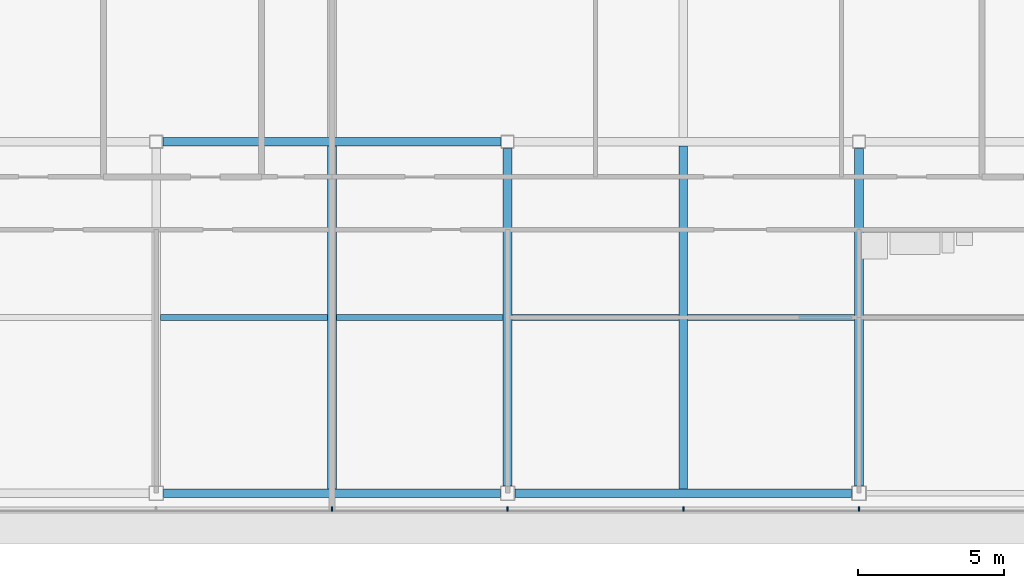
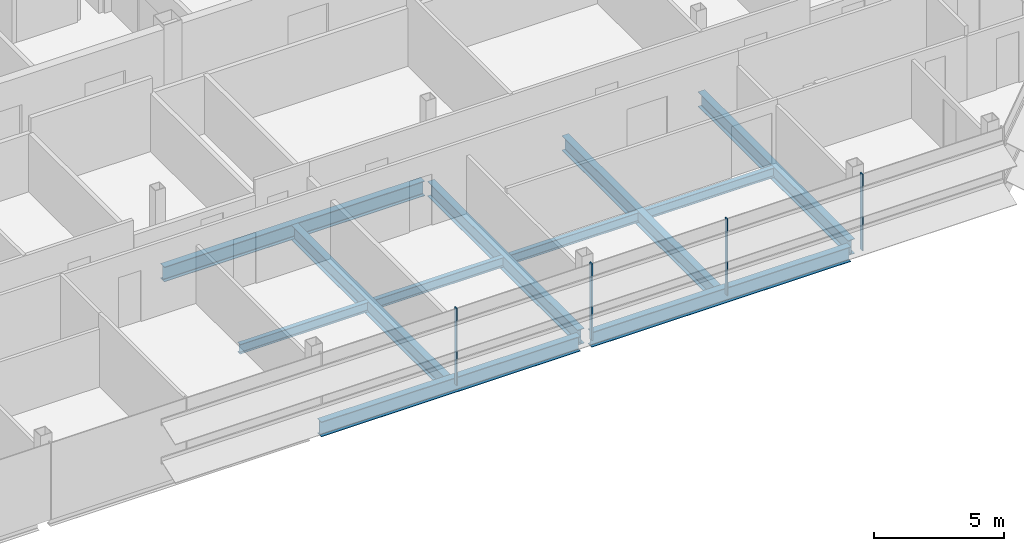
# One storey, part 10 of 27: 11 beams, 4 members, 1 element without a shape of its own.
"""IFC4 building model written with IfcOpenShell, lengths in metres."""

from ifc_helpers import new_model, si_unit, direction, frame, origin, origin_2d, place, context, subcontext, project, spatial, rectangle, i_section, extrude, material, material_profile, profile_set, type_object, element, aggregate, save


model = new_model("IFC4")

# Units and contexts
model_context = context("Model", 3, precision=1e-05, world=origin(), true_north=direction((0.0, 1.0)))
body_context = subcontext(model_context, "Body", "Model", "MODEL_VIEW")
ifc_project = project(units=[si_unit("LENGTHUNIT", "METRE"), si_unit("AREAUNIT", "SQUARE_METRE"), si_unit("VOLUMEUNIT", "CUBIC_METRE"), si_unit("PLANEANGLEUNIT", "RADIAN"), si_unit("MASSUNIT", "GRAM", prefix="KILO")], contexts=[model_context])

# Site, building, storey
site_placement = place(None, origin())
site = spatial("IfcSite", under=ifc_project, at=site_placement, CompositionType="ELEMENT")
building_placement = place(site_placement, origin())
building = spatial("IfcBuilding", under=site, at=building_placement, Name="Sorahane Residences", CompositionType="ELEMENT")
storey_placement = place(building_placement, frame((0.0, 0.0, 316.0)))
storey = spatial("IfcBuildingStorey", under=building, at=storey_placement, Name="L75", CompositionType="ELEMENT", Elevation=316.0)

# Curtain wall, members
ifc_material_1 = material(Name="Dark low-e glass and black anodised aluminium", Category="aluminium")
curtain_wall_type = type_object("IfcCurtainWallType", Name="Curtain wall CW-1 Typical unitised wall", PredefinedType="NOTDEFINED", material=ifc_material_1)
curtain_wall_placement = place(storey_placement, origin())
curtain_wall = element("IfcCurtainWall", 1, at=curtain_wall_placement, inside=storey, type_object=curtain_wall_type, Name="CW-1 curtain wall L75 S1", PredefinedType="NOTDEFINED")
ifc_material_2 = material(Name="Black anodised aluminium", Category="aluminium")
ifc_material_profile_1 = material_profile(ifc_material_2, rectangle(XDim=0.159912109375, YDim=0.050048828125, at=origin_2d()), Name="Curtain wall mullion CW-1 black anodised aluminium 50x160")
ifc_profile_set_1 = profile_set([ifc_material_profile_1], Name="Black anodised aluminium")
member_type = type_object("IfcMemberType", Name="Curtain wall mullion CW-1 black anodised aluminium 50x160", PredefinedType="MULLION", material=ifc_profile_set_1)
member_1_placement = place(storey_placement, frame((18.0, -0.5400390625, -0.179931640625), z_axis=(0.0, 0.0, 1.0), x_axis=(0.0, -1.0, 0.0)))
member_1 = element("IfcMember", 2, at=member_1_placement, type_object=member_type, Name="CW-1 mullion L75 S1.6", PredefinedType="MULLION", context=body_context, shape_type="SweptSolid", body=[
    extrude(rectangle(XDim=0.159912109375, YDim=0.050048828125, at=origin_2d()), origin(), (0.0, 0.0, 1.0), 3.599853515625),
])
member_2_placement = place(storey_placement, frame((24.0, -0.5400390625, -0.179931640625), z_axis=(0.0, 0.0, 1.0), x_axis=(0.0, -1.0, 0.0)))
member_2 = element("IfcMember", 3, at=member_2_placement, type_object=member_type, Name="CW-1 mullion L75 S1.7", PredefinedType="MULLION", context=body_context, shape_type="SweptSolid", body=[
    extrude(rectangle(XDim=0.159912109375, YDim=0.050048828125, at=origin_2d()), origin(), (0.0, 0.0, 1.0), 3.599853515625),
])
member_3_placement = place(storey_placement, frame((30.0, -0.5400390625, -0.179931640625), z_axis=(0.0, 0.0, 1.0), x_axis=(0.0, -1.0, 0.0)))
member_3 = element("IfcMember", 4, at=member_3_placement, type_object=member_type, Name="CW-1 mullion L75 S1.8", PredefinedType="MULLION", context=body_context, shape_type="SweptSolid", body=[
    extrude(rectangle(XDim=0.159912109375, YDim=0.050048828125, at=origin_2d()), origin(), (0.0, 0.0, 1.0), 3.599853515625),
])
member_4_placement = place(storey_placement, frame((36.0, -0.5400390625, -0.179931640625), z_axis=(0.0, 0.0, 1.0), x_axis=(0.0, -1.0, 0.0)))
member_4 = element("IfcMember", 5, at=member_4_placement, type_object=member_type, Name="CW-1 mullion L75 S1.9", PredefinedType="MULLION", context=body_context, shape_type="SweptSolid", body=[
    extrude(rectangle(XDim=0.159912109375, YDim=0.050048828125, at=origin_2d()), origin(), (0.0, 0.0, 1.0), 3.599853515625),
])
aggregate(curtain_wall, [member_1, member_2, member_3, member_4])

# Beams
ifc_material_3 = material(Name="Steel Q355B", Category="steel")
ifc_material_profile_2 = material_profile(ifc_material_3, i_section(OverallWidth=0.199951171875, OverallDepth=0.449951171875, WebThickness=0.009033203125, FlangeThickness=0.013916015625, FilletRadius=0.02001953125, at=origin_2d()), Name="HN 450x200x9x14")
ifc_profile_set_2 = profile_set([ifc_material_profile_2], Name="Steel Q355B")
beam_type_1 = type_object("IfcBeamType", Name="Steel floor beam HN 450x200x9x14 Q355B", PredefinedType="BEAM", material=ifc_profile_set_2)
for number, where, z_axis, x_axis, name in (
    (6, (12.14990234375, 6.0, -0.405029296875), (1.0, 0.0, 0.0), (0.0, 1.0, 0.0), "Beam L75 070"),
    (7, (18.14990234375, 6.0, -0.405029296875), (1.0, 0.0, 0.0), (0.0, 1.0, 0.0), "Beam L75 071"),
    (8, (24.14990234375, 6.0, -0.405029296875), (1.0, 0.0, 0.0), (0.0, 1.0, 0.0), "Beam L75 072"),
    (9, (30.14990234375, 6.0, -0.405029296875), (1.0, 0.0, 0.0), (0.0, 1.0, 0.0), "Beam L75 073"),
):
    element("IfcBeam", number, at=place(storey_placement, frame(where, z_axis=z_axis, x_axis=x_axis)), inside=storey, type_object=beam_type_1, Name=name, PredefinedType="BEAM", context=body_context, shape_type="SweptSolid", body=[
        extrude(i_section(OverallWidth=0.199951171875, OverallDepth=0.449951171875, WebThickness=0.009033203125, FlangeThickness=0.013916015625, FilletRadius=0.02001953125, at=origin_2d()), origin(), (0.0, 0.0, 1.0), 5.7001953125),
    ])
ifc_material_4 = material(Name="Steel Q355B", Category="steel")
ifc_material_profile_3 = material_profile(ifc_material_4, i_section(OverallWidth=0.300048828125, OverallDepth=0.699951171875, WebThickness=0.012939453125, FlangeThickness=0.02392578125, FilletRadius=0.028076171875, at=origin_2d()), Name="HN 700x300x13x24")
ifc_profile_set_3 = profile_set([ifc_material_profile_3], Name="Steel Q355B")
beam_type_2 = type_object("IfcBeamType", Name="Steel floor beam HN 700x300x13x24 Q355B", PredefinedType="BEAM", material=ifc_profile_set_3)
for number, where, z_axis, x_axis, name in (
    (10, (12.25, 0.0, -0.530029296875), (1.0, 0.0, 0.0), (0.0, 1.0, 0.0), "Beam L75 002"),
    (11, (24.25, 0.0, -0.530029296875), (1.0, 0.0, 0.0), (0.0, 1.0, 0.0), "Beam L75 003"),
):
    element("IfcBeam", number, at=place(storey_placement, frame(where, z_axis=z_axis, x_axis=x_axis)), inside=storey, type_object=beam_type_2, Name=name, PredefinedType="BEAM", context=body_context, shape_type="SweptSolid", body=[
        extrude(i_section(OverallWidth=0.300048828125, OverallDepth=0.699951171875, WebThickness=0.012939453125, FlangeThickness=0.02392578125, FilletRadius=0.028076171875, at=origin_2d()), origin(), (0.0, 0.0, 1.0), 11.5),
    ])
beam_1_placement = place(storey_placement, frame((12.22509765625, 12.0, -0.530029296875), z_axis=(1.0, 0.0, 0.0), x_axis=(0.0, 1.0, 0.0)))
element("IfcBeam", 12, at=beam_1_placement, inside=storey, type_object=beam_type_2, Name="Beam L75 008", PredefinedType="BEAM", context=body_context, shape_type="SweptSolid", body=[
    extrude(i_section(OverallWidth=0.300048828125, OverallDepth=0.699951171875, WebThickness=0.012939453125, FlangeThickness=0.02392578125, FilletRadius=0.028076171875, at=origin_2d()), origin(), (0.0, 0.0, 1.0), 11.5498046875),
])
beam_2_placement = place(storey_placement, frame((18.0, 0.14990234375, -0.530029296875), z_axis=(0.0, 1.0, 0.0), x_axis=(-1.0, 0.0, 0.0)))
element("IfcBeam", 13, at=beam_2_placement, inside=storey, type_object=beam_type_2, Name="Beam L75 040", PredefinedType="BEAM", context=body_context, shape_type="SweptSolid", body=[
    extrude(i_section(OverallWidth=0.300048828125, OverallDepth=0.699951171875, WebThickness=0.012939453125, FlangeThickness=0.02392578125, FilletRadius=0.028076171875, at=origin_2d()), origin(), (0.0, 0.0, 1.0), 11.7001953125),
])
beam_3_placement = place(storey_placement, frame((24.0, 0.25, -0.530029296875), z_axis=(0.0, 1.0, 0.0), x_axis=(-1.0, 0.0, 0.0)))
element("IfcBeam", 14, at=beam_3_placement, inside=storey, type_object=beam_type_2, Name="Beam L75 046", PredefinedType="BEAM", context=body_context, shape_type="SweptSolid", body=[
    extrude(i_section(OverallWidth=0.300048828125, OverallDepth=0.699951171875, WebThickness=0.012939453125, FlangeThickness=0.02392578125, FilletRadius=0.028076171875, at=origin_2d()), origin(), (0.0, 0.0, 1.0), 11.52490234375),
])
beam_4_placement = place(storey_placement, frame((30.0, 0.14990234375, -0.530029296875), z_axis=(0.0, 1.0, 0.0), x_axis=(-1.0, 0.0, 0.0)))
element("IfcBeam", 15, at=beam_4_placement, inside=storey, type_object=beam_type_2, Name="Beam L75 048", PredefinedType="BEAM", context=body_context, shape_type="SweptSolid", body=[
    extrude(i_section(OverallWidth=0.300048828125, OverallDepth=0.699951171875, WebThickness=0.012939453125, FlangeThickness=0.02392578125, FilletRadius=0.028076171875, at=origin_2d()), origin(), (0.0, 0.0, 1.0), 11.7001953125),
])
beam_5_placement = place(storey_placement, frame((36.0, 0.25, -0.530029296875), z_axis=(0.0, 1.0, 0.0), x_axis=(-1.0, 0.0, 0.0)))
element("IfcBeam", 16, at=beam_5_placement, inside=storey, type_object=beam_type_2, Name="Beam L75 054", PredefinedType="BEAM", context=body_context, shape_type="SweptSolid", body=[
    extrude(i_section(OverallWidth=0.300048828125, OverallDepth=0.699951171875, WebThickness=0.012939453125, FlangeThickness=0.02392578125, FilletRadius=0.028076171875, at=origin_2d()), origin(), (0.0, 0.0, 1.0), 11.52490234375),
])

save(model, "model.ifc")
